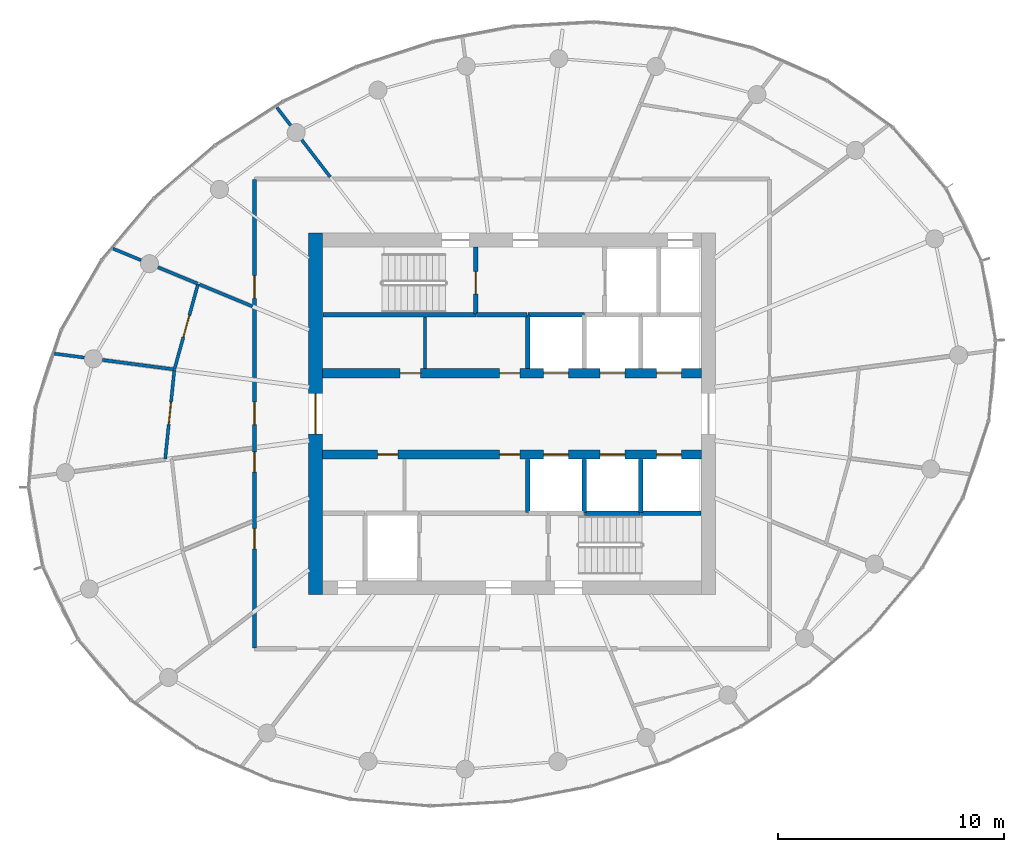
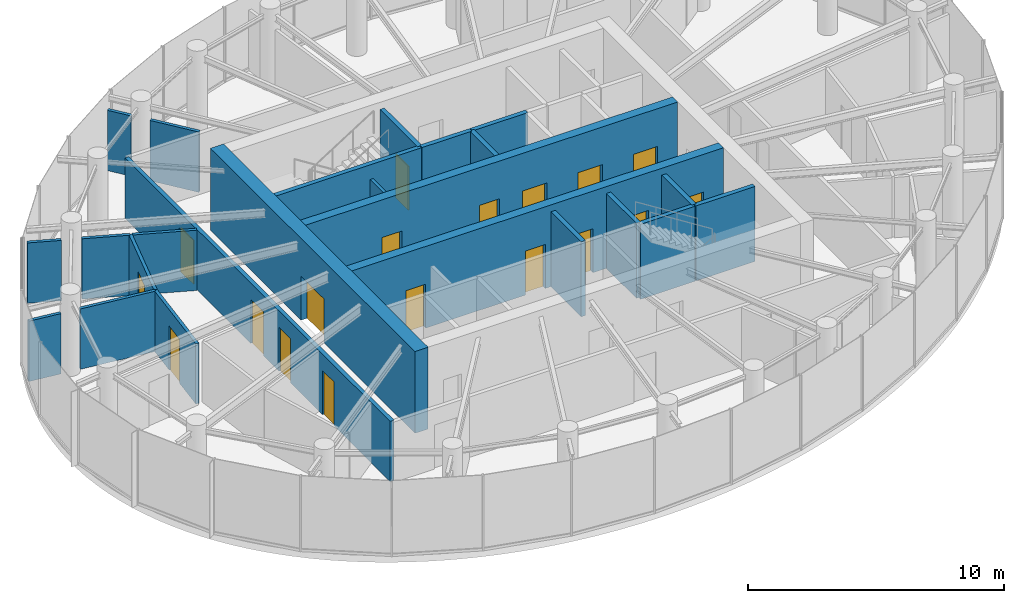
# One storey, part 9 of 13: 24 walls, 18 doors, 18 openings.
"""IFC4 building model written with IfcOpenShell, lengths in metres."""

from ifc_helpers import new_model, si_unit, direction, frame, frame_2d, origin, place, context, subcontext, project, spatial, rectangle, extrude, source, transform, mapped, material, layer, layer_set, type_object, element, fill, save


model = new_model("IFC4")

# Units and contexts
model_context = context("Model", 3, precision=1e-05, world=origin(), true_north=direction((0.0, 1.0)))
body_context = subcontext(model_context, "Body", "Model", "MODEL_VIEW")
ifc_project = project(units=[si_unit("LENGTHUNIT", "METRE"), si_unit("AREAUNIT", "SQUARE_METRE"), si_unit("VOLUMEUNIT", "CUBIC_METRE"), si_unit("PLANEANGLEUNIT", "RADIAN"), si_unit("MASSUNIT", "GRAM", prefix="KILO")], contexts=[model_context])

# Site, building, storey
site_placement = place(None, origin())
site = spatial("IfcSite", under=ifc_project, at=site_placement, CompositionType="ELEMENT")
building_placement = place(site_placement, origin())
building = spatial("IfcBuilding", under=site, at=building_placement, Name="Spindrift Exchange Tower", CompositionType="ELEMENT")
storey_placement = place(building_placement, frame((0.0, 0.0, 250.10009765625)))
storey = spatial("IfcBuildingStorey", under=building, at=storey_placement, Name="L61", CompositionType="ELEMENT", Elevation=250.10009765625)

# Wall, opening, door
ifc_material_1 = material(Name="Concrete 50 MPa", Category="concrete")
ifc_layer_1 = layer(ifc_material_1, 0.60009765625)
ifc_layer_set_1 = layer_set([ifc_layer_1], Name="RC Core Wall 600 Concrete 50 MPa")
wall_type_1 = type_object("IfcWallType", Name="RC Core Wall 600 Concrete 50 MPa", PredefinedType="SHEAR", material=ifc_layer_set_1)
wall_1_placement = place(storey_placement, frame((43.300048828125, 56.0, 0.0), z_axis=(0.0, 0.0, 1.0), x_axis=(0.0, -1.0, 0.0)))
wall_1 = element("IfcWall", 1, at=wall_1_placement, inside=storey, type_object=wall_type_1, Name="Core wall W L61", PredefinedType="SHEAR", context=body_context, shape_type="SweptSolid", body=[
    extrude(rectangle(XDim=16.0, YDim=0.60009765625, at=frame_2d((8.0, 0.0))), origin(), (0.0, 0.0, 1.0), 3.89990234375),
])
opening_1_placement = place(wall_1_placement, frame((7.10009765625, 0.0, 0.0)))
opening_1 = element("IfcOpeningElement", 2, at=opening_1_placement, cuts=wall_1, Name="Opening L61-D1", PredefinedType="OPENING", context=body_context, shape_type="SweptSolid", body=[
    extrude(rectangle(XDim=1.800048828125, YDim=2.10009765625, at=frame_2d((0.89990234375, 1.050048828125))), frame((0.0, 0.31005859375, 0.0), z_axis=(0.0, -1.0, 0.0), x_axis=(1.0, 0.0, 0.0)), (0.0, 0.0, 1.0), 0.6201171875),
])
ifc_material_2 = material(Name="Timber-core fire door", Category="wood")
door_type_1 = type_object("IfcDoorType", Name="DR-LOBBY-1800", OperationType="NOTDEFINED", PredefinedType="DOOR", material=ifc_material_2)
shared_shape_1 = source(origin(), body_context, "Body", "SweptSolid", [
    extrude(rectangle(XDim=1.800048828125, YDim=2.10009765625, at=frame_2d((0.89990234375, 1.050048828125))), frame((0.0, 0.02490234375, 0.0), z_axis=(0.0, -1.0, 0.0), x_axis=(1.0, 0.0, 0.0)), (0.0, 0.0, 1.0), 0.050048828125),
])
door_1_placement = place(opening_1_placement, origin())
door_1 = element("IfcDoor", 3, at=door_1_placement, inside=storey, type_object=door_type_1, Name="L61 Lobby door 1", OperationType="SINGLE_SWING_RIGHT", OverallHeight=2.10009765625, OverallWidth=1.800048828125, PredefinedType="DOOR", context=body_context, shape_type="MappedRepresentation", body=[
    mapped(shared_shape_1, transform((0.0, 0.0, 0.0), scale=1.0)),
])
fill(opening_1, door_1)

# Wall, openings, doors
ifc_layer_2 = layer(ifc_material_1, 0.39990234375)
ifc_layer_set_2 = layer_set([ifc_layer_2], Name="RC Spine Wall 400 Concrete 50 MPa")
wall_type_2 = type_object("IfcWallType", Name="RC Spine Wall 400 Concrete 50 MPa", PredefinedType="SHEAR", material=ifc_layer_set_2)
wall_2_placement = place(storey_placement, frame((43.60009765625, 49.800048828125, 0.0), z_axis=(0.0, 0.0, 1.0), x_axis=(1.0, 0.0, 0.0)))
wall_2 = element("IfcWall", 4, at=wall_2_placement, inside=storey, type_object=wall_type_2, Name="Core spine wall N L61", PredefinedType="SHEAR", context=body_context, shape_type="SweptSolid", body=[
    extrude(rectangle(XDim=16.7998046875, YDim=0.39990234375, at=frame_2d((8.39990234375, 0.0))), origin(), (0.0, 0.0, 1.0), 3.89990234375),
])
opening_2_placement = place(wall_2_placement, frame((9.800048828125, 0.0, 0.0)))
opening_2 = element("IfcOpeningElement", 5, at=opening_2_placement, cuts=wall_2, Name="Opening L61-D3", PredefinedType="OPENING", context=body_context, shape_type="SweptSolid", body=[
    extrude(rectangle(XDim=1.10009765625, YDim=2.10009765625, at=frame_2d((0.550048828125, 1.050048828125))), frame((0.0, 0.2099609375, 0.0), z_axis=(0.0, -1.0, 0.0), x_axis=(1.0, 0.0, 0.0)), (0.0, 0.0, 1.0), 0.419921875),
])
opening_3_placement = place(wall_2_placement, frame((12.300048828125, 0.0, 0.0)))
opening_3 = element("IfcOpeningElement", 6, at=opening_3_placement, cuts=wall_2, Name="Opening L61-D4", PredefinedType="OPENING", context=body_context, shape_type="SweptSolid", body=[
    extrude(rectangle(XDim=1.10009765625, YDim=2.10009765625, at=frame_2d((0.550048828125, 1.050048828125))), frame((0.0, 0.2099609375, 0.0), z_axis=(0.0, -1.0, 0.0), x_axis=(1.0, 0.0, 0.0)), (0.0, 0.0, 1.0), 0.419921875),
])
opening_4_placement = place(wall_2_placement, frame((14.800048828125, 0.0, 0.0)))
opening_4 = element("IfcOpeningElement", 7, at=opening_4_placement, cuts=wall_2, Name="Opening L61-D5", PredefinedType="OPENING", context=body_context, shape_type="SweptSolid", body=[
    extrude(rectangle(XDim=1.10009765625, YDim=2.10009765625, at=frame_2d((0.550048828125, 1.050048828125))), frame((0.0, 0.2099609375, 0.0), z_axis=(0.0, -1.0, 0.0), x_axis=(1.0, 0.0, 0.0)), (0.0, 0.0, 1.0), 0.419921875),
])
opening_5_placement = place(wall_2_placement, frame((3.449951171875, 0.0, 0.0)))
opening_5 = element("IfcOpeningElement", 8, at=opening_5_placement, cuts=wall_2, Name="Opening L61-D40", PredefinedType="OPENING", context=body_context, shape_type="SweptSolid", body=[
    extrude(rectangle(XDim=0.89990234375, YDim=2.10009765625, at=frame_2d((0.449951171875, 1.050048828125))), frame((0.0, 0.2099609375, 0.0), z_axis=(0.0, -1.0, 0.0), x_axis=(1.0, 0.0, 0.0)), (0.0, 0.0, 1.0), 0.419921875),
])
opening_6_placement = place(wall_2_placement, frame((7.85009765625, 0.0, 0.0)))
opening_6 = element("IfcOpeningElement", 9, at=opening_6_placement, cuts=wall_2, Name="Opening L61-D41", PredefinedType="OPENING", context=body_context, shape_type="SweptSolid", body=[
    extrude(rectangle(XDim=0.89990234375, YDim=2.10009765625, at=frame_2d((0.449951171875, 1.050048828125))), frame((0.0, 0.2099609375, 0.0), z_axis=(0.0, -1.0, 0.0), x_axis=(1.0, 0.0, 0.0)), (0.0, 0.0, 1.0), 0.419921875),
])
ifc_material_3 = material(Name="Stainless steel landing door", Category="steel")
door_type_2 = type_object("IfcDoorType", Name="DR-LANDING-1100-SL", OperationType="DOUBLE_DOOR_SLIDING", PredefinedType="USERDEFINED", material=ifc_material_3)
shared_shape_2 = source(origin(), body_context, "Body", "SweptSolid", [
    extrude(rectangle(XDim=1.10009765625, YDim=2.10009765625, at=frame_2d((0.550048828125, 1.050048828125))), frame((0.0, 0.02490234375, 0.0), z_axis=(0.0, -1.0, 0.0), x_axis=(1.0, 0.0, 0.0)), (0.0, 0.0, 1.0), 0.050048828125),
])
door_2_placement = place(opening_2_placement, origin())
door_2 = element("IfcDoor", 10, at=door_2_placement, inside=storey, type_object=door_type_2, Name="L61 Lift landing door 3", ObjectType="LANDING DOOR", OperationType="DOUBLE_DOOR_SLIDING", OverallHeight=2.10009765625, OverallWidth=1.10009765625, PredefinedType="USERDEFINED", context=body_context, shape_type="MappedRepresentation", body=[
    mapped(shared_shape_2, transform((0.0, 0.0, 0.0), scale=1.0)),
])
fill(opening_2, door_2)
door_3_placement = place(opening_3_placement, origin())
door_3 = element("IfcDoor", 11, at=door_3_placement, inside=storey, type_object=door_type_2, Name="L61 Lift landing door 4", ObjectType="LANDING DOOR", OperationType="DOUBLE_DOOR_SLIDING", OverallHeight=2.10009765625, OverallWidth=1.10009765625, PredefinedType="USERDEFINED", context=body_context, shape_type="MappedRepresentation", body=[
    mapped(shared_shape_2, transform((0.0, 0.0, 0.0), scale=1.0)),
])
fill(opening_3, door_3)
door_4_placement = place(opening_4_placement, origin())
door_4 = element("IfcDoor", 12, at=door_4_placement, inside=storey, type_object=door_type_2, Name="L61 Lift landing door 5", ObjectType="LANDING DOOR", OperationType="DOUBLE_DOOR_SLIDING", OverallHeight=2.10009765625, OverallWidth=1.10009765625, PredefinedType="USERDEFINED", context=body_context, shape_type="MappedRepresentation", body=[
    mapped(shared_shape_2, transform((0.0, 0.0, 0.0), scale=1.0)),
])
fill(opening_4, door_4)
ifc_material_4 = material(Name="Steel access door", Category="steel")
door_type_3 = type_object("IfcDoorType", Name="DR-RISER-900", OperationType="NOTDEFINED", PredefinedType="DOOR", material=ifc_material_4)
shared_shape_3 = source(origin(), body_context, "Body", "SweptSolid", [
    extrude(rectangle(XDim=0.89990234375, YDim=2.10009765625, at=frame_2d((0.449951171875, 1.050048828125))), frame((0.0, 0.02490234375, 0.0), z_axis=(0.0, -1.0, 0.0), x_axis=(1.0, 0.0, 0.0)), (0.0, 0.0, 1.0), 0.050048828125),
])
door_5_placement = place(opening_5_placement, origin())
door_5 = element("IfcDoor", 13, at=door_5_placement, inside=storey, type_object=door_type_3, Name="L61 Riser door 40", OperationType="SINGLE_SWING_RIGHT", OverallHeight=2.10009765625, OverallWidth=0.89990234375, PredefinedType="DOOR", context=body_context, shape_type="MappedRepresentation", body=[
    mapped(shared_shape_3, transform((0.0, 0.0, 0.0), scale=1.0)),
])
fill(opening_5, door_5)
door_6_placement = place(opening_6_placement, origin())
door_6 = element("IfcDoor", 14, at=door_6_placement, inside=storey, type_object=door_type_3, Name="L61 Riser door 41", OperationType="SINGLE_SWING_LEFT", OverallHeight=2.10009765625, OverallWidth=0.89990234375, PredefinedType="DOOR", context=body_context, shape_type="MappedRepresentation", body=[
    mapped(shared_shape_3, transform((0.0, 0.0, 0.0), scale=1.0)),
])
fill(opening_6, door_6)

wall_3_placement = place(storey_placement, frame((43.60009765625, 46.199951171875, 0.0), z_axis=(0.0, 0.0, 1.0), x_axis=(1.0, 0.0, 0.0)))
wall_3 = element("IfcWall", 15, at=wall_3_placement, inside=storey, type_object=wall_type_2, Name="Core spine wall S L61", PredefinedType="SHEAR", context=body_context, shape_type="SweptSolid", body=[
    extrude(rectangle(XDim=16.7998046875, YDim=0.39990234375, at=frame_2d((8.39990234375, 0.0))), origin(), (0.0, 0.0, 1.0), 3.89990234375),
])
opening_7_placement = place(wall_3_placement, frame((9.800048828125, 0.0, 0.0)))
opening_7 = element("IfcOpeningElement", 16, at=opening_7_placement, cuts=wall_3, Name="Opening L61-D6", PredefinedType="OPENING", context=body_context, shape_type="SweptSolid", body=[
    extrude(rectangle(XDim=1.10009765625, YDim=2.10009765625, at=frame_2d((0.550048828125, 1.050048828125))), frame((0.0, 0.2099609375, 0.0), z_axis=(0.0, -1.0, 0.0), x_axis=(1.0, 0.0, 0.0)), (0.0, 0.0, 1.0), 0.419921875),
])
opening_8_placement = place(wall_3_placement, frame((12.300048828125, 0.0, 0.0)))
opening_8 = element("IfcOpeningElement", 17, at=opening_8_placement, cuts=wall_3, Name="Opening L61-D7", PredefinedType="OPENING", context=body_context, shape_type="SweptSolid", body=[
    extrude(rectangle(XDim=1.10009765625, YDim=2.10009765625, at=frame_2d((0.550048828125, 1.050048828125))), frame((0.0, 0.2099609375, 0.0), z_axis=(0.0, -1.0, 0.0), x_axis=(1.0, 0.0, 0.0)), (0.0, 0.0, 1.0), 0.419921875),
])
opening_9_placement = place(wall_3_placement, frame((14.800048828125, 0.0, 0.0)))
opening_9 = element("IfcOpeningElement", 18, at=opening_9_placement, cuts=wall_3, Name="Opening L61-D8", PredefinedType="OPENING", context=body_context, shape_type="SweptSolid", body=[
    extrude(rectangle(XDim=1.10009765625, YDim=2.10009765625, at=frame_2d((0.550048828125, 1.050048828125))), frame((0.0, 0.2099609375, 0.0), z_axis=(0.0, -1.0, 0.0), x_axis=(1.0, 0.0, 0.0)), (0.0, 0.0, 1.0), 0.419921875),
])
opening_10_placement = place(wall_3_placement, frame((2.449951171875, 0.0, 0.0)))
opening_10 = element("IfcOpeningElement", 19, at=opening_10_placement, cuts=wall_3, Name="Opening L61-D42", PredefinedType="OPENING", context=body_context, shape_type="SweptSolid", body=[
    extrude(rectangle(XDim=0.89990234375, YDim=2.10009765625, at=frame_2d((0.449951171875, 1.050048828125))), frame((0.0, 0.2099609375, 0.0), z_axis=(0.0, -1.0, 0.0), x_axis=(1.0, 0.0, 0.0)), (0.0, 0.0, 1.0), 0.419921875),
])
opening_11_placement = place(wall_3_placement, frame((7.85009765625, 0.0, 0.0)))
opening_11 = element("IfcOpeningElement", 20, at=opening_11_placement, cuts=wall_3, Name="Opening L61-D43", PredefinedType="OPENING", context=body_context, shape_type="SweptSolid", body=[
    extrude(rectangle(XDim=0.89990234375, YDim=2.10009765625, at=frame_2d((0.449951171875, 1.050048828125))), frame((0.0, 0.2099609375, 0.0), z_axis=(0.0, -1.0, 0.0), x_axis=(1.0, 0.0, 0.0)), (0.0, 0.0, 1.0), 0.419921875),
])
door_7_placement = place(opening_7_placement, origin())
door_7 = element("IfcDoor", 21, at=door_7_placement, inside=storey, type_object=door_type_2, Name="L61 Lift landing door 6", ObjectType="LANDING DOOR", OperationType="DOUBLE_DOOR_SLIDING", OverallHeight=2.10009765625, OverallWidth=1.10009765625, PredefinedType="USERDEFINED", context=body_context, shape_type="MappedRepresentation", body=[
    mapped(shared_shape_2, transform((0.0, 0.0, 0.0), scale=1.0)),
])
fill(opening_7, door_7)
door_8_placement = place(opening_8_placement, origin())
door_8 = element("IfcDoor", 22, at=door_8_placement, inside=storey, type_object=door_type_2, Name="L61 Lift landing door 7", ObjectType="LANDING DOOR", OperationType="DOUBLE_DOOR_SLIDING", OverallHeight=2.10009765625, OverallWidth=1.10009765625, PredefinedType="USERDEFINED", context=body_context, shape_type="MappedRepresentation", body=[
    mapped(shared_shape_2, transform((0.0, 0.0, 0.0), scale=1.0)),
])
fill(opening_8, door_8)
door_9_placement = place(opening_9_placement, origin())
door_9 = element("IfcDoor", 23, at=door_9_placement, inside=storey, type_object=door_type_2, Name="L61 Lift landing door 8", ObjectType="LANDING DOOR", OperationType="DOUBLE_DOOR_SLIDING", OverallHeight=2.10009765625, OverallWidth=1.10009765625, PredefinedType="USERDEFINED", context=body_context, shape_type="MappedRepresentation", body=[
    mapped(shared_shape_2, transform((0.0, 0.0, 0.0), scale=1.0)),
])
fill(opening_9, door_9)
door_10_placement = place(opening_10_placement, origin())
door_10 = element("IfcDoor", 24, at=door_10_placement, inside=storey, type_object=door_type_3, Name="L61 Riser door 42", OperationType="SINGLE_SWING_RIGHT", OverallHeight=2.10009765625, OverallWidth=0.89990234375, PredefinedType="DOOR", context=body_context, shape_type="MappedRepresentation", body=[
    mapped(shared_shape_3, transform((0.0, 0.0, 0.0), scale=1.0)),
])
fill(opening_10, door_10)
door_11_placement = place(opening_11_placement, origin())
door_11 = element("IfcDoor", 25, at=door_11_placement, inside=storey, type_object=door_type_3, Name="L61 Riser door 43", OperationType="SINGLE_SWING_LEFT", OverallHeight=2.10009765625, OverallWidth=0.89990234375, PredefinedType="DOOR", context=body_context, shape_type="MappedRepresentation", body=[
    mapped(shared_shape_3, transform((0.0, 0.0, 0.0), scale=1.0)),
])
fill(opening_11, door_11)

ifc_material_5 = material(Name="Fire-rated plasterboard partition", Category="gypsum")
ifc_layer_3 = layer(ifc_material_5, 0.179931640625)
ifc_layer_set_3 = layer_set([ifc_layer_3], Name="W-CORR-180")
wall_type_3 = type_object("IfcWallType", Name="W-CORR-180", PredefinedType="PARTITIONING", material=ifc_layer_set_3)
wall_4_placement = place(storey_placement, frame((40.60009765625, 37.6298828125, 0.0), z_axis=(0.0, 0.0, 1.0), x_axis=(0.0, 1.0, 0.0)))
wall_4 = element("IfcWall", 26, at=wall_4_placement, inside=storey, type_object=wall_type_3, Name="L61 Partition wall 30", PredefinedType="PARTITIONING", context=body_context, shape_type="SweptSolid", body=[
    extrude(rectangle(XDim=20.740234375, YDim=0.179931640625, at=frame_2d((10.3701171875, 0.0))), origin(), (0.0, 0.0, 1.0), 2.8798828125),
])
opening_12_placement = place(wall_4_placement, frame((7.7900390625, 0.0, 0.0)))
opening_12 = element("IfcOpeningElement", 27, at=opening_12_placement, cuts=wall_4, Name="Opening L61-D19", PredefinedType="OPENING", context=body_context, shape_type="SweptSolid", body=[
    extrude(rectangle(XDim=0.89990234375, YDim=2.10009765625, at=frame_2d((0.449951171875, 1.050048828125))), frame((0.0, 0.099853515625, 0.0), z_axis=(0.0, -1.0, 0.0), x_axis=(1.0, 0.0, 0.0)), (0.0, 0.0, 1.0), 0.199951171875),
])
opening_13_placement = place(wall_4_placement, frame((4.389892578125, 0.0, 0.0)))
opening_13 = element("IfcOpeningElement", 28, at=opening_13_placement, cuts=wall_4, Name="Opening L61-D20", PredefinedType="OPENING", context=body_context, shape_type="SweptSolid", body=[
    extrude(rectangle(XDim=0.89990234375, YDim=2.10009765625, at=frame_2d((0.449951171875, 1.050048828125))), frame((0.0, 0.099853515625, 0.0), z_axis=(0.0, -1.0, 0.0), x_axis=(1.0, 0.0, 0.0)), (0.0, 0.0, 1.0), 0.199951171875),
])
opening_14_placement = place(wall_4_placement, frame((15.489990234375, 0.0, 0.0)))
opening_14 = element("IfcOpeningElement", 29, at=opening_14_placement, cuts=wall_4, Name="Opening L61-D36", PredefinedType="OPENING", context=body_context, shape_type="SweptSolid", body=[
    extrude(rectangle(XDim=1.0, YDim=2.10009765625, at=frame_2d((0.5, 1.050048828125))), frame((0.0, 0.099853515625, 0.0), z_axis=(0.0, -1.0, 0.0), x_axis=(1.0, 0.0, 0.0)), (0.0, 0.0, 1.0), 0.199951171875),
])
opening_15_placement = place(wall_4_placement, frame((9.889892578125, 0.0, 0.0)))
opening_15 = element("IfcOpeningElement", 30, at=opening_15_placement, cuts=wall_4, Name="Opening L61-D37", PredefinedType="OPENING", context=body_context, shape_type="SweptSolid", body=[
    extrude(rectangle(XDim=1.0, YDim=2.10009765625, at=frame_2d((0.5, 1.050048828125))), frame((0.0, 0.099853515625, 0.0), z_axis=(0.0, -1.0, 0.0), x_axis=(1.0, 0.0, 0.0)), (0.0, 0.0, 1.0), 0.199951171875),
])
door_type_4 = type_object("IfcDoorType", Name="DR-ROOM-1000", OperationType="NOTDEFINED", PredefinedType="DOOR", material=ifc_material_2)
shared_shape_4 = source(origin(), body_context, "Body", "SweptSolid", [
    extrude(rectangle(XDim=1.0, YDim=2.10009765625, at=frame_2d((0.5, 1.050048828125))), frame((0.0, 0.02490234375, 0.0), z_axis=(0.0, -1.0, 0.0), x_axis=(1.0, 0.0, 0.0)), (0.0, 0.0, 1.0), 0.050048828125),
])
door_12_placement = place(opening_14_placement, origin())
door_12 = element("IfcDoor", 31, at=door_12_placement, inside=storey, type_object=door_type_4, Name="L61 Door 36", OperationType="SINGLE_SWING_RIGHT", OverallHeight=2.10009765625, OverallWidth=1.0, PredefinedType="DOOR", context=body_context, shape_type="MappedRepresentation", body=[
    mapped(shared_shape_4, transform((0.0, 0.0, 0.0), scale=1.0)),
])
fill(opening_14, door_12)
door_13_placement = place(opening_15_placement, origin())
door_13 = element("IfcDoor", 32, at=door_13_placement, inside=storey, type_object=door_type_4, Name="L61 Door 37", OperationType="SINGLE_SWING_LEFT", OverallHeight=2.10009765625, OverallWidth=1.0, PredefinedType="DOOR", context=body_context, shape_type="MappedRepresentation", body=[
    mapped(shared_shape_4, transform((0.0, 0.0, 0.0), scale=1.0)),
])
fill(opening_15, door_13)
ifc_material_6 = material(Name="Laminate washroom door", Category="wood")
door_type_5 = type_object("IfcDoorType", Name="DR-WC-900", OperationType="NOTDEFINED", PredefinedType="DOOR", material=ifc_material_6)
shared_shape_5 = source(origin(), body_context, "Body", "SweptSolid", [
    extrude(rectangle(XDim=0.89990234375, YDim=2.10009765625, at=frame_2d((0.449951171875, 1.050048828125))), frame((0.0, 0.02490234375, 0.0), z_axis=(0.0, -1.0, 0.0), x_axis=(1.0, 0.0, 0.0)), (0.0, 0.0, 1.0), 0.050048828125),
])
door_14_placement = place(opening_12_placement, origin())
door_14 = element("IfcDoor", 33, at=door_14_placement, inside=storey, type_object=door_type_5, Name="L61 WC door 19", OperationType="SINGLE_SWING_LEFT", OverallHeight=2.10009765625, OverallWidth=0.89990234375, PredefinedType="DOOR", context=body_context, shape_type="MappedRepresentation", body=[
    mapped(shared_shape_5, transform((0.0, 0.0, 0.0), scale=1.0)),
])
fill(opening_12, door_14)
door_15_placement = place(opening_13_placement, origin())
door_15 = element("IfcDoor", 34, at=door_15_placement, inside=storey, type_object=door_type_5, Name="L61 WC door 20", OperationType="SINGLE_SWING_RIGHT", OverallHeight=2.10009765625, OverallWidth=0.89990234375, PredefinedType="DOOR", context=body_context, shape_type="MappedRepresentation", body=[
    mapped(shared_shape_5, transform((0.0, 0.0, 0.0), scale=1.0)),
])
fill(opening_13, door_15)

# Wall, opening, door
ifc_layer_4 = layer(ifc_material_5, 0.139892578125)
ifc_layer_set_4 = layer_set([ifc_layer_4], Name="W-PART-140")
wall_type_4 = type_object("IfcWallType", Name="W-PART-140", PredefinedType="PARTITIONING", material=ifc_layer_set_4)
wall_5_placement = place(storey_placement, frame((36.644775390625, 46.0078125, 0.0), z_axis=(0.0, 0.0, 1.0), x_axis=(0.102108226225, 0.99477329585, 0.0)))
wall_5 = element("IfcWall", 35, at=wall_5_placement, inside=storey, type_object=wall_type_4, Name="L61 Partition wall 40", PredefinedType="PARTITIONING", context=body_context, shape_type="SweptSolid", body=[
    extrude(rectangle(XDim=3.98095703125, YDim=0.139892578125, at=frame_2d((1.990478515625, 0.0))), origin(), (0.0, 0.0, 1.0), 2.8798828125),
])
opening_16_placement = place(wall_5_placement, frame((1.531005859375, 0.0, 0.0)))
opening_16 = element("IfcOpeningElement", 36, at=opening_16_placement, cuts=wall_5, Name="Opening L61-D39", PredefinedType="OPENING", context=body_context, shape_type="SweptSolid", body=[
    extrude(rectangle(XDim=1.0, YDim=2.10009765625, at=frame_2d((0.5, 1.050048828125))), frame((0.0, 0.079833984375, 0.0), z_axis=(0.0, -1.0, 0.0), x_axis=(1.0, 0.0, 0.0)), (0.0, 0.0, 1.0), 0.159912109375),
])
door_16_placement = place(opening_16_placement, origin())
door_16 = element("IfcDoor", 37, at=door_16_placement, inside=storey, type_object=door_type_4, Name="L61 Door 39", OperationType="SINGLE_SWING_LEFT", OverallHeight=2.10009765625, OverallWidth=1.0, PredefinedType="DOOR", context=body_context, shape_type="MappedRepresentation", body=[
    mapped(shared_shape_4, transform((0.0, 0.0, 0.0), scale=1.0)),
])
fill(opening_16, door_16)

wall_6_placement = place(storey_placement, frame((37.059326171875, 49.996826171875, 0.0), z_axis=(0.0, 0.0, 1.0), x_axis=(0.266530407872, 0.963826510156, 0.0)))
wall_6 = element("IfcWall", 38, at=wall_6_placement, inside=storey, type_object=wall_type_4, Name="L61 Partition wall 42", PredefinedType="PARTITIONING", context=body_context, shape_type="SweptSolid", body=[
    extrude(rectangle(XDim=3.902099609375, YDim=0.139892578125, at=frame_2d((1.951171875, 0.0))), origin(), (0.0, 0.0, 1.0), 2.8798828125),
])
opening_17_placement = place(wall_6_placement, frame((1.4521484375, 0.0, 0.0)))
opening_17 = element("IfcOpeningElement", 39, at=opening_17_placement, cuts=wall_6, Name="Opening L61-D38", PredefinedType="OPENING", context=body_context, shape_type="SweptSolid", body=[
    extrude(rectangle(XDim=1.0, YDim=2.10009765625, at=frame_2d((0.5, 1.050048828125))), frame((0.0, 0.079833984375, 0.0), z_axis=(0.0, -1.0, 0.0), x_axis=(1.0, 0.0, 0.0)), (0.0, 0.0, 1.0), 0.159912109375),
])
door_17_placement = place(opening_17_placement, origin())
door_17 = element("IfcDoor", 40, at=door_17_placement, inside=storey, type_object=door_type_4, Name="L61 Door 38", OperationType="SINGLE_SWING_RIGHT", OverallHeight=2.10009765625, OverallWidth=1.0, PredefinedType="DOOR", context=body_context, shape_type="MappedRepresentation", body=[
    mapped(shared_shape_4, transform((0.0, 0.0, 0.0), scale=1.0)),
])
fill(opening_17, door_17)

# Walls
wall_7_placement = place(storey_placement, frame((37.021484375, 49.971923828125, 0.0), z_axis=(0.0, 0.0, 1.0), x_axis=(-0.991447255609, 0.13050800491, 0.0)))
element("IfcWall", 41, at=wall_7_placement, inside=storey, type_object=wall_type_4, Name="L61 Partition wall 50", PredefinedType="PARTITIONING", context=body_context, shape_type="SweptSolid", body=[
    extrude(rectangle(XDim=3.187744140625, YDim=0.139892578125, at=frame_2d((1.59375, 0.0))), origin(), (0.0, 0.0, 1.0), 2.8798828125),
])
wall_8_placement = place(storey_placement, frame((40.510009765625, 52.75927734375, 0.0), z_axis=(0.0, 0.0, 1.0), x_axis=(-0.923857420899, 0.382736810157, 0.0)))
element("IfcWall", 42, at=wall_8_placement, inside=storey, type_object=wall_type_4, Name="L61 Partition wall 52", PredefinedType="PARTITIONING", context=body_context, shape_type="SweptSolid", body=[
    extrude(rectangle(XDim=2.538818359375, YDim=0.139892578125, at=frame_2d((1.26953125, 0.0))), origin(), (0.0, 0.0, 1.0), 2.8798828125),
])
wall_9_placement = place(storey_placement, frame((48.14990234375, 50.010009765625, 0.0), z_axis=(0.0, 0.0, 1.0), x_axis=(0.0, 1.0, 0.0)))
element("IfcWall", 43, at=wall_9_placement, inside=storey, type_object=wall_type_4, Name="L61 Partition wall 56", PredefinedType="PARTITIONING", context=body_context, shape_type="SweptSolid", body=[
    extrude(rectangle(XDim=2.2900390625, YDim=0.139892578125, at=frame_2d((1.14501953125, 0.0))), origin(), (0.0, 0.0, 1.0), 2.8798828125),
])
wall_10_placement = place(storey_placement, frame((43.95068359375, 58.489990234375, 0.0), z_axis=(0.0, 0.0, 1.0), x_axis=(-0.608701397958, 0.793399400128, 0.0)))
element("IfcWall", 44, at=wall_10_placement, inside=storey, type_object=wall_type_4, Name="L61 Partition wall 57", PredefinedType="PARTITIONING", context=body_context, shape_type="SweptSolid", body=[
    extrude(rectangle(XDim=2.070068359375, YDim=0.139892578125, at=frame_2d((1.03515625, 0.0))), origin(), (0.0, 0.0, 1.0), 2.8798828125),
])
wall_11_placement = place(storey_placement, frame((38.071533203125, 53.769287109375, 0.0), z_axis=(0.0, 0.0, 1.0), x_axis=(-0.923834462885, 0.382792221952, 0.0)))
element("IfcWall", 45, at=wall_11_placement, inside=storey, type_object=wall_type_4, Name="L61 Partition wall 59", PredefinedType="PARTITIONING", context=body_context, shape_type="SweptSolid", body=[
    extrude(rectangle(XDim=1.89306640625, YDim=0.139892578125, at=frame_2d((0.946533203125, 0.0))), origin(), (0.0, 0.0, 1.0), 2.8798828125),
])
wall_12_placement = place(storey_placement, frame((33.058837890625, 50.49365234375, 0.0), z_axis=(0.0, 0.0, 1.0), x_axis=(-0.991453684747, 0.130459154536, 0.0)))
element("IfcWall", 46, at=wall_12_placement, inside=storey, type_object=wall_type_4, Name="L61 Partition wall 65", PredefinedType="PARTITIONING", context=body_context, shape_type="SweptSolid", body=[
    extrude(rectangle(XDim=1.360595703125, YDim=0.139892578125, at=frame_2d((0.68017578125, 0.0))), origin(), (0.0, 0.0, 1.0), 2.8798828125),
])
wall_13_placement = place(storey_placement, frame((35.57421875, 54.8037109375, 0.0), z_axis=(0.0, 0.0, 1.0), x_axis=(-0.923888145957, 0.382662637005, 0.0)))
element("IfcWall", 47, at=wall_13_placement, inside=storey, type_object=wall_type_4, Name="L61 Partition wall 67", PredefinedType="PARTITIONING", context=body_context, shape_type="SweptSolid", body=[
    extrude(rectangle(XDim=1.341064453125, YDim=0.139892578125, at=frame_2d((0.67041015625, 0.0))), origin(), (0.0, 0.0, 1.0), 2.8798828125),
])
wall_14_placement = place(storey_placement, frame((42.197998046875, 60.774169921875, 0.0), z_axis=(0.0, 0.0, 1.0), x_axis=(-0.608704056843, 0.793397360207, 0.0)))
element("IfcWall", 48, at=wall_14_placement, inside=storey, type_object=wall_type_4, Name="L61 Partition wall 77", PredefinedType="PARTITIONING", context=body_context, shape_type="SweptSolid", body=[
    extrude(rectangle(XDim=0.99658203125, YDim=0.139892578125, at=frame_2d((0.498291015625, 0.0))), origin(), (0.0, 0.0, 1.0), 2.8798828125),
])
ifc_material_7 = material(Name="Concrete 40 MPa", Category="concrete")
ifc_layer_5 = layer(ifc_material_7, 0.199951171875)
ifc_layer_set_5 = layer_set([ifc_layer_5], Name="W-SHAFT-200")
wall_type_5 = type_object("IfcWallType", Name="W-SHAFT-200", PredefinedType="SOLIDWALL", material=ifc_layer_set_5)
wall_15_placement = place(storey_placement, frame((55.199951171875, 52.39990234375, 0.0), z_axis=(0.0, 0.0, 1.0), x_axis=(-1.0, 0.0, 0.0)))
element("IfcWall", 49, at=wall_15_placement, inside=storey, type_object=wall_type_5, Name="L61 Shaft wall 10", PredefinedType="SOLIDWALL", context=body_context, shape_type="SweptSolid", body=[
    extrude(rectangle(XDim=2.5, YDim=0.199951171875, at=frame_2d((1.25, 0.0))), origin(), (0.0, 0.0, 1.0), 3.579833984375),
])
for number, where, z_axis, x_axis, name in (
    (50, (52.699951171875, 45.989990234375, 0.0), (0.0, 0.0, 1.0), (0.0, -1.0, 0.0), "L61 Shaft wall 13"),
    (51, (52.699951171875, 52.3701171875, 0.0), (0.0, 0.0, 1.0), (0.0, -1.0, 0.0), "L61 Shaft wall 14"),
):
    element("IfcWall", number, at=place(storey_placement, frame(where, z_axis=z_axis, x_axis=x_axis)), inside=storey, type_object=wall_type_5, Name=name, PredefinedType="SOLIDWALL", context=body_context, shape_type="SweptSolid", body=[
        extrude(rectangle(XDim=2.360107421875, YDim=0.199951171875, at=frame_2d((1.18017578125, 0.0))), origin(), (0.0, 0.0, 1.0), 3.579833984375),
    ])
ifc_layer_6 = layer(ifc_material_7, 0.199951171875)
ifc_layer_set_6 = layer_set([ifc_layer_6], Name="W-SHAFT-200-LB")
wall_type_6 = type_object("IfcWallType", Name="W-SHAFT-200-LB", PredefinedType="SOLIDWALL", material=ifc_layer_set_6)
wall_16_placement = place(storey_placement, frame((43.6201171875, 52.39990234375, 0.0), z_axis=(0.0, 0.0, 1.0), x_axis=(1.0, 0.0, 0.0)))
element("IfcWall", 52, at=wall_16_placement, inside=storey, type_object=wall_type_6, Name="L61 Shaft wall 1", PredefinedType="SOLIDWALL", context=body_context, shape_type="SweptSolid", body=[
    extrude(rectangle(XDim=6.77978515625, YDim=0.199951171875, at=frame_2d((3.389892578125, 0.0))), origin(), (0.0, 0.0, 1.0), 3.579833984375),
])

# Wall, opening, door
wall_17_placement = place(storey_placement, frame((50.39990234375, 52.429931640625, 0.0), z_axis=(0.0, 0.0, 1.0), x_axis=(0.0, 1.0, 0.0)))
wall_17 = element("IfcWall", 53, at=wall_17_placement, inside=storey, type_object=wall_type_6, Name="L61 Shaft wall 5", PredefinedType="SOLIDWALL", context=body_context, shape_type="SweptSolid", body=[
    extrude(rectangle(XDim=2.949951171875, YDim=0.199951171875, at=frame_2d((1.47509765625, 0.0))), origin(), (0.0, 0.0, 1.0), 3.579833984375),
])
opening_18_placement = place(wall_17_placement, frame((0.8701171875, 0.0, 0.0)))
opening_18 = element("IfcOpeningElement", 54, at=opening_18_placement, cuts=wall_17, Name="Opening L61-D13", PredefinedType="OPENING", context=body_context, shape_type="SweptSolid", body=[
    extrude(rectangle(XDim=1.0, YDim=2.10009765625, at=frame_2d((0.5, 1.050048828125))), frame((0.0, 0.10986328125, 0.0), z_axis=(0.0, -1.0, 0.0), x_axis=(1.0, 0.0, 0.0)), (0.0, 0.0, 1.0), 0.219970703125),
])
ifc_material_8 = material(Name="Steel fire door", Category="steel")
door_type_6 = type_object("IfcDoorType", Name="DR-STAIR-1000", OperationType="NOTDEFINED", PredefinedType="DOOR", material=ifc_material_8)
shared_shape_6 = source(origin(), body_context, "Body", "SweptSolid", [
    extrude(rectangle(XDim=1.0, YDim=2.10009765625, at=frame_2d((0.5, 1.050048828125))), frame((0.0, 0.02490234375, 0.0), z_axis=(0.0, -1.0, 0.0), x_axis=(1.0, 0.0, 0.0)), (0.0, 0.0, 1.0), 0.050048828125),
])
door_18_placement = place(opening_18_placement, origin())
door_18 = element("IfcDoor", 55, at=door_18_placement, inside=storey, type_object=door_type_6, Name="L61 Stair door 13", OperationType="SINGLE_SWING_LEFT", OverallHeight=2.10009765625, OverallWidth=1.0, PredefinedType="DOOR", context=body_context, shape_type="MappedRepresentation", body=[
    mapped(shared_shape_6, transform((0.0, 0.0, 0.0), scale=1.0)),
])
fill(opening_18, door_18)

# Walls
wall_18_placement = place(storey_placement, frame((57.699951171875, 43.60009765625, 0.0), z_axis=(0.0, 0.0, 1.0), x_axis=(1.0, 0.0, 0.0)))
element("IfcWall", 56, at=wall_18_placement, inside=storey, type_object=wall_type_6, Name="L61 Shaft wall 9", PredefinedType="SOLIDWALL", context=body_context, shape_type="SweptSolid", body=[
    extrude(rectangle(XDim=2.679931640625, YDim=0.199951171875, at=frame_2d((1.33984375, 0.0))), origin(), (0.0, 0.0, 1.0), 3.579833984375),
])
wall_19_placement = place(storey_placement, frame((55.199951171875, 43.60009765625, 0.0), z_axis=(0.0, 0.0, 1.0), x_axis=(1.0, 0.0, 0.0)))
element("IfcWall", 57, at=wall_19_placement, inside=storey, type_object=wall_type_6, Name="L61 Shaft wall 11", PredefinedType="SOLIDWALL", context=body_context, shape_type="SweptSolid", body=[
    extrude(rectangle(XDim=2.469970703125, YDim=0.199951171875, at=frame_2d((1.23486328125, 0.0))), origin(), (0.0, 0.0, 1.0), 3.579833984375),
])
for number, where, z_axis, x_axis, name in (
    (58, (55.199951171875, 43.6298828125, 0.0), (0.0, 0.0, 1.0), (0.0, 1.0, 0.0), "L61 Shaft wall 15"),
    (59, (57.699951171875, 43.6298828125, 0.0), (0.0, 0.0, 1.0), (0.0, 1.0, 0.0), "L61 Shaft wall 17"),
):
    element("IfcWall", number, at=place(storey_placement, frame(where, z_axis=z_axis, x_axis=x_axis)), inside=storey, type_object=wall_type_6, Name=name, PredefinedType="SOLIDWALL", context=body_context, shape_type="SweptSolid", body=[
        extrude(rectangle(XDim=2.360107421875, YDim=0.199951171875, at=frame_2d((1.18017578125, 0.0))), origin(), (0.0, 0.0, 1.0), 3.579833984375),
    ])
wall_20_placement = place(storey_placement, frame((50.429931640625, 52.39990234375, 0.0), z_axis=(0.0, 0.0, 1.0), x_axis=(1.0, 0.0, 0.0)))
element("IfcWall", 60, at=wall_20_placement, inside=storey, type_object=wall_type_6, Name="L61 Shaft wall 19", PredefinedType="SOLIDWALL", context=body_context, shape_type="SweptSolid", body=[
    extrude(rectangle(XDim=2.239990234375, YDim=0.199951171875, at=frame_2d((1.1201171875, 0.0))), origin(), (0.0, 0.0, 1.0), 3.579833984375),
])

save(model, "model.ifc")
